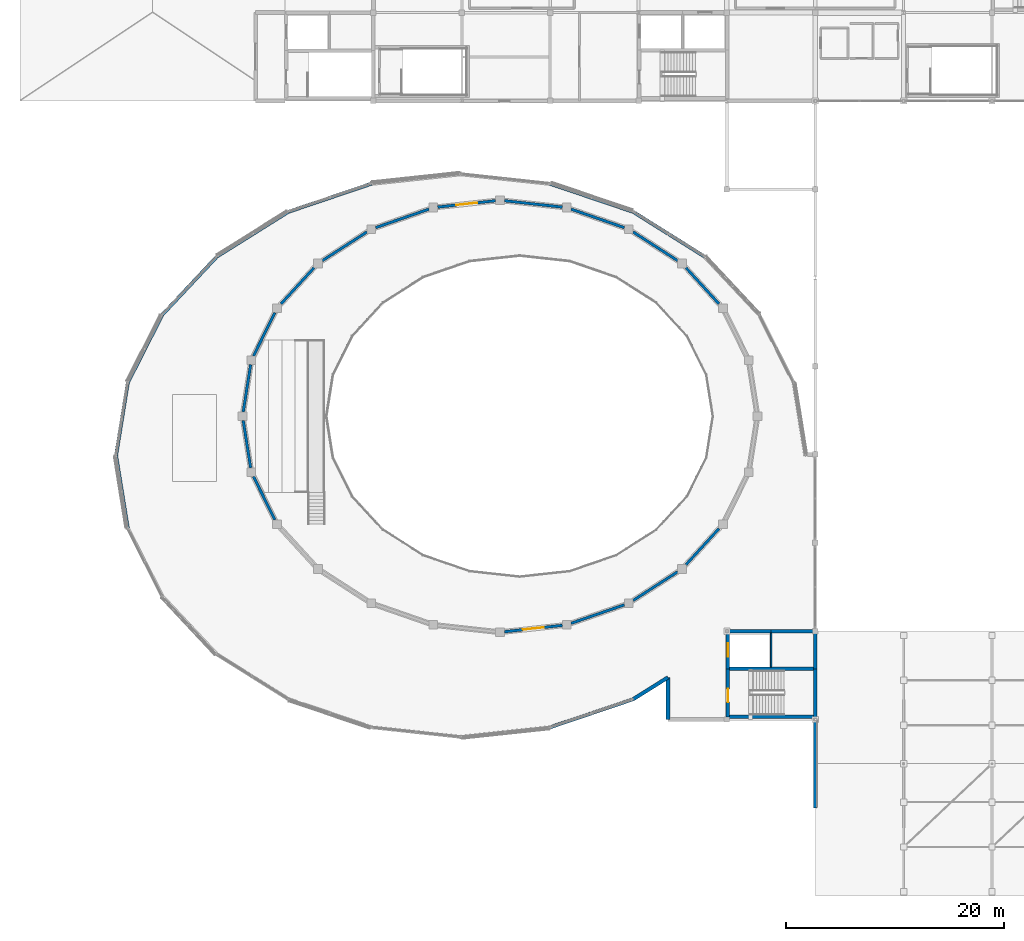
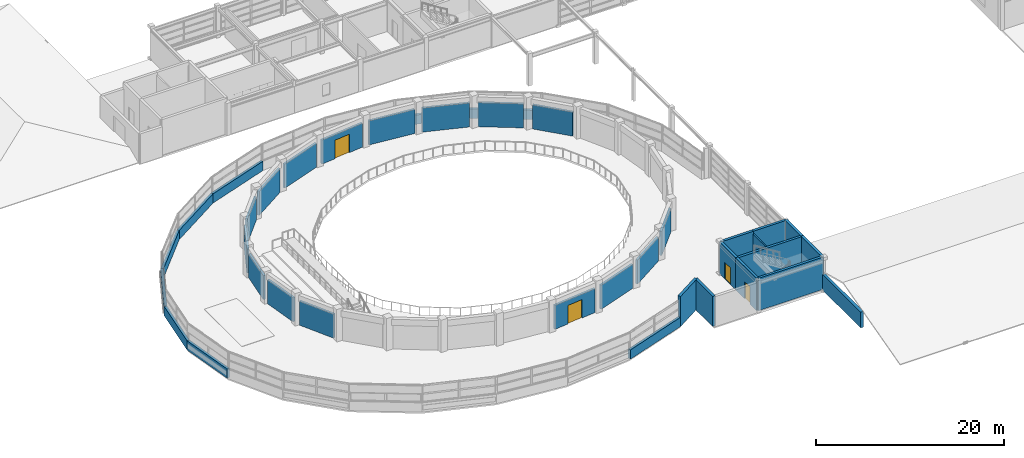
# One storey, part 40 of 54: 37 walls, 4 doors, 4 openings.
"""IFC4 building model written with IfcOpenShell, lengths in metres."""

import ifcopenshell
import ifcopenshell.guid

model = None  # the IFC model being written
_history = None  # IfcOwnerHistory: only IFC2X3 demands one
_inside = {}  # id of a spatial element -> (the spatial element, [elements in it])
_under = {}  # id of a project, library or spatial element -> (it, [spatial elements below it])
_declared = {}  # id of a project -> (the project, [libraries it declares])
_typed = {}  # id of a type object -> (the type object, [elements of that type])
_made_of = {}  # id of a material, layer set ... -> (it, [elements and type objects made of it])


def new_model(schema):
    """Start an empty IFC model of exactly this schema.

    Asked for "IFC4X3", IfcOpenShell would pick the latest addendum, in which some entities
    have other attributes; the version numbers below select the first issue.
    IFC2X3 requires an IfcOwnerHistory on every rooted entity: one is made here for all.
    """
    global model, _history
    if schema == "IFC4X3":
        model = ifcopenshell.file(schema_version=(4, 3, 0, 0))
    else:
        model = ifcopenshell.file(schema=schema)
    _inside.clear()
    _under.clear()
    _declared.clear()
    _typed.clear()
    _made_of.clear()
    _history = None
    if model.schema == "IFC2X3":
        org = make("IfcOrganization", Name="unknown")
        user = make(
            "IfcPersonAndOrganization",
            ThePerson=make("IfcPerson", FamilyName="unknown"),
            TheOrganization=org,
        )
        app = make(
            "IfcApplication",
            ApplicationDeveloper=org,
            Version="unknown",
            ApplicationFullName="unknown",
            ApplicationIdentifier="unknown",
        )
        _history = make(
            "IfcOwnerHistory",
            OwningUser=user,
            OwningApplication=app,
            ChangeAction="ADDED",
            CreationDate=0,
        )
    return model


def make(cls, **values):
    """One entity of the class cls with the attributes given. An attribute that is None is left unset."""
    return model.create_entity(
        cls, **{name: value for name, value in values.items() if value is not None}
    )


def rooted(cls, **values):
    """An entity with a GlobalId (a new one), such as an element, a storey or a relation."""
    return make(cls, GlobalId=ifcopenshell.guid.new(), OwnerHistory=_history, **values)


def si_unit(unit_type, name, prefix=None):
    """IfcSIUnit, for example si_unit("LENGTHUNIT", "METRE", prefix="MILLI")."""
    return make("IfcSIUnit", UnitType=unit_type, Prefix=prefix, Name=name)


def assignment(units):
    """IfcUnitAssignment: the units of a project."""
    return None if units is None else make("IfcUnitAssignment", Units=units)


def point(xyz):
    """IfcCartesianPoint."""
    return None if xyz is None else make("IfcCartesianPoint", Coordinates=xyz)


def direction(xyz):
    """IfcDirection."""
    return None if xyz is None else make("IfcDirection", DirectionRatios=xyz)


def frame(location, z_axis=None, x_axis=None):
    """IfcAxis2Placement3D, a coordinate frame: its origin and axes. An axis left out is left unset."""
    return make(
        "IfcAxis2Placement3D",
        Location=point(location),
        Axis=direction(z_axis),
        RefDirection=direction(x_axis),
    )


def frame_2d(location, x_axis=None):
    """IfcAxis2Placement2D, a coordinate frame in the plane: its origin and x axis."""
    return make(
        "IfcAxis2Placement2D", Location=point(location), RefDirection=direction(x_axis)
    )


def origin():
    """The frame at (0, 0, 0) with its axes left unset."""
    return frame((0.0, 0.0, 0.0))


def place(relative_to, where):
    """IfcLocalPlacement: puts the frame where relative to a parent placement (None: the world)."""
    return make(
        "IfcLocalPlacement", PlacementRelTo=relative_to, RelativePlacement=where
    )


def context(
    kind, dimensions, precision=None, world=None, true_north=None, identifier=None
):
    """IfcGeometricRepresentationContext, for example the 3D "Model" context."""
    return make(
        "IfcGeometricRepresentationContext",
        ContextIdentifier=identifier,
        ContextType=kind,
        CoordinateSpaceDimension=dimensions,
        Precision=precision,
        WorldCoordinateSystem=world,
        TrueNorth=true_north,
    )


def subcontext(parent, identifier, kind, view, scale=None):
    """IfcGeometricRepresentationSubContext, for example "Body" below "Model"."""
    return make(
        "IfcGeometricRepresentationSubContext",
        ContextIdentifier=identifier,
        ContextType=kind,
        ParentContext=parent,
        TargetScale=scale,
        TargetView=view,
    )


def project(units=None, contexts=None):
    """IfcProject with its units and contexts."""
    return rooted(
        "IfcProject",
        Name="project",
        RepresentationContexts=contexts,
        UnitsInContext=assignment(units),
    )


def spatial(cls, under=None, at=None, **own):
    """A site, building, storey or space (cls), placed at a placement, below another one or the project."""
    s = rooted(cls, ObjectPlacement=at, **own)
    if under is not None:
        _under.setdefault(under.id(), (under, []))[1].append(s)
    return s


def profile(cls, at=None, kind="AREA", **sizes):
    """A parametric profile (cls). Its sizes go by their IFC names, for example OverallWidth=200.0."""
    return make(cls, ProfileType=kind, Position=at, **sizes)


def rectangle(**sizes):
    """IfcRectangleProfileDef."""
    return profile("IfcRectangleProfileDef", **sizes)


def extrude(swept, where, along, depth):
    """IfcExtrudedAreaSolid: the profile swept, set in the frame where, extruded along a direction by depth."""
    return make(
        "IfcExtrudedAreaSolid",
        SweptArea=swept,
        Position=where,
        ExtrudedDirection=direction(along),
        Depth=depth,
    )


def shape(context_of_items, identifier, shape_type, items):
    """IfcShapeRepresentation: the items that make up one representation, for example the "Body"."""
    return make(
        "IfcShapeRepresentation",
        ContextOfItems=context_of_items,
        RepresentationIdentifier=identifier,
        RepresentationType=shape_type,
        Items=items,
    )


def material(Name=None, Category=None):
    """IfcMaterial."""
    return make("IfcMaterial", Name=Name, Category=Category)


def layer(
    of_material, thickness, ventilated=None, Name=None, Category=None, Priority=None
):
    """IfcMaterialLayer: one layer of a wall or slab, of a material (None: an air gap)."""
    return make(
        "IfcMaterialLayer",
        Material=of_material,
        LayerThickness=thickness,
        IsVentilated=ventilated,
        Name=Name,
        Category=Category,
        Priority=Priority,
    )


def layer_set(layers, Name=None):
    """IfcMaterialLayerSet."""
    return make("IfcMaterialLayerSet", MaterialLayers=layers, LayerSetName=Name)


def made_of(thing, what):
    """Note that an element or type object is made of a material, layer set ...; save() writes the relation."""
    if what is not None:
        _made_of.setdefault(what.id(), (what, []))[1].append(thing)
    return thing


def type_object(cls, material=None, **own):
    """A type object (cls), such as IfcWallType, which elements share."""
    return made_of(rooted(cls, **own), material)


def element(
    cls,
    number,
    at=None,
    inside=None,
    cuts=None,
    type_object=None,
    material=None,
    context=None,
    identifier="Body",
    shape_type=None,
    held_by="IfcProductDefinitionShape",
    body=None,
    shapes=None,
    **own,
):
    """One element of the class cls, such as IfcWall. Its Tag is "e" and its number.

    at: its placement. inside: the storey or other place that contains it. cuts: it is an
    opening in that element (IfcRelVoidsElement). A single representation is given by context,
    identifier, shape_type and body (its items); several are given by shapes. held_by: the class
    of the entity that holds the representations. save() writes the other relations.
    """
    e = rooted(cls, Tag="e%d" % number, ObjectPlacement=at, **own)
    if body is not None:
        shapes = [shape(context, identifier, shape_type, body)]
    if shapes is not None:
        e.Representation = make(held_by, Representations=shapes)
    if inside is not None:
        _inside.setdefault(inside.id(), (inside, []))[1].append(e)
    if cuts is not None:
        rooted(
            "IfcRelVoidsElement", RelatingBuildingElement=cuts, RelatedOpeningElement=e
        )
    if type_object is not None:
        _typed.setdefault(type_object.id(), (type_object, []))[1].append(e)
    return made_of(e, material)


def fill(opening, filler):
    """IfcRelFillsElement: the door or window that sits in an opening."""
    return rooted(
        "IfcRelFillsElement",
        RelatingOpeningElement=opening,
        RelatedBuildingElement=filler,
    )


def aggregate(whole, parts):
    """IfcRelAggregates: a whole, such as a stair, and the parts it consists of."""
    return rooted("IfcRelAggregates", RelatingObject=whole, RelatedObjects=parts)


def save(model, path):
    """Write the relations noted so far, then the file.

    IfcRelAggregates (storeys below a building ...), IfcRelContainedInSpatialStructure (elements
    in a storey), IfcRelDefinesByType, IfcRelAssociatesMaterial and IfcRelDeclares: one each for
    every whole, place, type object, material and project.
    """
    for whole, parts in _under.values():
        aggregate(whole, parts)
    for where, things in _inside.values():
        rooted(
            "IfcRelContainedInSpatialStructure",
            RelatedElements=things,
            RelatingStructure=where,
        )
    for kind, things in _typed.values():
        rooted("IfcRelDefinesByType", RelatedObjects=things, RelatingType=kind)
    for what, things in _made_of.values():
        rooted("IfcRelAssociatesMaterial", RelatedObjects=things, RelatingMaterial=what)
    for by, libraries in _declared.values():
        rooted("IfcRelDeclares", RelatingContext=by, RelatedDefinitions=libraries)
    model.write(path)


model = new_model("IFC4")

# Units and contexts
model_context = context("Model", 3, precision=1e-05, world=origin(), true_north=direction((0.0, 1.0)))
body_context = subcontext(model_context, "Body", "Model", "MODEL_VIEW")
ifc_project = project(units=[si_unit("LENGTHUNIT", "METRE"), si_unit("AREAUNIT", "SQUARE_METRE"), si_unit("VOLUMEUNIT", "CUBIC_METRE"), si_unit("PLANEANGLEUNIT", "RADIAN"), si_unit("MASSUNIT", "GRAM", prefix="KILO")], contexts=[model_context])

# Site, building, storey
site_placement = place(None, origin())
site = spatial("IfcSite", under=ifc_project, at=site_placement, CompositionType="ELEMENT")
building_placement = place(site_placement, origin())
building = spatial("IfcBuilding", under=site, at=building_placement, Name="Parian Resonance Hall", CompositionType="ELEMENT")
storey_placement = place(building_placement, frame((0.0, 0.0, 15.0)))
storey = spatial("IfcBuildingStorey", under=building, at=storey_placement, Name="L03", CompositionType="ELEMENT", Elevation=15.0)

# Wall, opening, door
ifc_material_1 = material(Name="Concrete C40/50", Category="concrete")
ifc_layer_1 = layer(ifc_material_1, 0.31005859375)
ifc_layer_set_1 = layer_set([ifc_layer_1], Name="Concrete C40/50")
wall_type_1 = type_object("IfcWallType", Name="CW310", PredefinedType="SHEAR", material=ifc_layer_set_1)
wall_1_placement = place(storey_placement, frame((64.889892578125, 16.449951171875, 0.0), z_axis=(0.0, 0.0, 1.0), x_axis=(0.0, 1.0, 0.0)))
wall_1 = element("IfcWall", 1, at=wall_1_placement, inside=storey, type_object=wall_type_1, Name="Core K3 stairwell west shear wall L03", PredefinedType="SHEAR", context=body_context, shape_type="SweptSolid", body=[
    extrude(rectangle(XDim=4.400146484375, YDim=0.31005859375, at=frame_2d((2.2001953125, 0.0))), origin(), (0.0, 0.0, 1.0), 4.199951171875),
])
opening_1_placement = place(wall_1_placement, frame((1.35009765625, 0.0, 0.0)))
opening_1 = element("IfcOpeningElement", 2, at=opening_1_placement, cuts=wall_1, Name="Opening FD-01", PredefinedType="OPENING", context=body_context, shape_type="SweptSolid", body=[
    extrude(rectangle(XDim=1.199951171875, YDim=2.25, at=frame_2d((0.60009765625, 1.125))), frame((0.0, 0.1650390625, 0.0), z_axis=(0.0, -1.0, 0.0), x_axis=(1.0, 0.0, 0.0)), (0.0, 0.0, 1.0), 0.330078125),
])
ifc_material_2 = material(Name="Fire-rated acoustic steel and narra timber door", Category="steel")
door_type_1 = type_object("IfcDoorType", Name="FD-01", OperationType="NOTDEFINED", PredefinedType="DOOR", material=ifc_material_2)
door_1_placement = place(opening_1_placement, origin())
door_1 = element("IfcDoor", 3, at=door_1_placement, inside=storey, type_object=door_type_1, Name="Exit stair ST-03 fire door L03", OperationType="SINGLE_SWING_LEFT", OverallHeight=2.25, OverallWidth=1.199951171875, PredefinedType="DOOR", context=body_context, shape_type="SweptSolid", body=[
    extrude(rectangle(XDim=1.199951171875, YDim=2.25, at=frame_2d((0.60009765625, 1.125))), frame((0.0, 0.02490234375, 0.0), z_axis=(0.0, -1.0, 0.0), x_axis=(1.0, 0.0, 0.0)), (0.0, 0.0, 1.0), 0.050048828125),
])
fill(opening_1, door_1)

wall_2_placement = place(storey_placement, frame((64.889892578125, 20.85009765625, 0.0), z_axis=(0.0, 0.0, 1.0), x_axis=(0.0, 1.0, 0.0)))
wall_2 = element("IfcWall", 4, at=wall_2_placement, inside=storey, type_object=wall_type_1, Name="Core K3 lift shaft west shear wall L03", PredefinedType="SHEAR", context=body_context, shape_type="SweptSolid", body=[
    extrude(rectangle(XDim=3.449951171875, YDim=0.31005859375, at=frame_2d((1.72509765625, 0.0))), origin(), (0.0, 0.0, 1.0), 4.199951171875),
])
opening_2_placement = place(wall_2_placement, frame((1.125, 0.0, 0.0)))
opening_2 = element("IfcOpeningElement", 5, at=opening_2_placement, cuts=wall_2, Name="Opening LD-01", PredefinedType="OPENING", context=body_context, shape_type="SweptSolid", body=[
    extrude(rectangle(XDim=1.199951171875, YDim=2.199951171875, at=frame_2d((0.60009765625, 1.10009765625))), frame((0.0, 0.1650390625, 0.0), z_axis=(0.0, -1.0, 0.0), x_axis=(1.0, 0.0, 0.0)), (0.0, 0.0, 1.0), 0.330078125),
])
ifc_material_3 = material(Name="Stainless steel and bronze elevator cab", Category="steel")
door_type_2 = type_object("IfcDoorType", Name="DOOR-LIFT-1200x2200", OperationType="SLIDING_TO_LEFT", PredefinedType="DOOR", material=ifc_material_3)
door_2_placement = place(opening_2_placement, origin())
door_2 = element("IfcDoor", 6, at=door_2_placement, inside=storey, type_object=door_type_2, Name="Lift LF-04 sliding landing door L03", OperationType="SLIDING_TO_LEFT", OverallHeight=2.199951171875, OverallWidth=1.199951171875, PredefinedType="DOOR", context=body_context, shape_type="SweptSolid", body=[
    extrude(rectangle(XDim=1.199951171875, YDim=2.199951171875, at=frame_2d((0.60009765625, 1.10009765625))), frame((0.0, 0.02490234375, 0.0), z_axis=(0.0, -1.0, 0.0), x_axis=(1.0, 0.0, 0.0)), (0.0, 0.0, 1.0), 0.050048828125),
])
fill(opening_2, door_2)

# Walls
wall_3_placement = place(storey_placement, frame((64.889892578125, 24.300048828125, 0.0), z_axis=(0.0, 0.0, 1.0), x_axis=(1.0, 0.0, 0.0)))
element("IfcWall", 7, at=wall_3_placement, inside=storey, type_object=wall_type_1, Name="Core K3 north-west shaft wall L03", PredefinedType="SHEAR", context=body_context, shape_type="SweptSolid", body=[
    extrude(rectangle(XDim=3.960205078125, YDim=0.31005859375, at=frame_2d((1.97998046875, 0.0))), origin(), (0.0, 0.0, 1.0), 4.199951171875),
])
wall_4_placement = place(storey_placement, frame((68.85009765625, 24.300048828125, 0.0), z_axis=(0.0, 0.0, 1.0), x_axis=(1.0, 0.0, 0.0)))
element("IfcWall", 8, at=wall_4_placement, inside=storey, type_object=wall_type_1, Name="Core K3 north-east shaft wall L03", PredefinedType="SHEAR", context=body_context, shape_type="SweptSolid", body=[
    extrude(rectangle(XDim=4.059814453125, YDim=0.31005859375, at=frame_2d((2.02978515625, 0.0))), origin(), (0.0, 0.0, 1.0), 4.199951171875),
])
wall_5_placement = place(storey_placement, frame((72.909912109375, 24.300048828125, 0.0), z_axis=(0.0, 0.0, 1.0), x_axis=(0.0, -1.0, 0.0)))
element("IfcWall", 9, at=wall_5_placement, inside=storey, type_object=wall_type_1, Name="Core K3 east shaft wall L03", PredefinedType="SHEAR", context=body_context, shape_type="SweptSolid", body=[
    extrude(rectangle(XDim=3.449951171875, YDim=0.31005859375, at=frame_2d((1.72509765625, 0.0))), origin(), (0.0, 0.0, 1.0), 4.199951171875),
])
wall_6_placement = place(storey_placement, frame((72.909912109375, 20.85009765625, 0.0), z_axis=(0.0, 0.0, 1.0), x_axis=(0.0, -1.0, 0.0)))
element("IfcWall", 10, at=wall_6_placement, inside=storey, type_object=wall_type_1, Name="Core K3 stairwell east wall L03", PredefinedType="SHEAR", context=body_context, shape_type="SweptSolid", body=[
    extrude(rectangle(XDim=4.400146484375, YDim=0.31005859375, at=frame_2d((2.2001953125, 0.0))), origin(), (0.0, 0.0, 1.0), 4.199951171875),
])
for number, where, z_axis, x_axis, name in (
    (11, (72.909912109375, 16.449951171875, 0.0), (0.0, 0.0, 1.0), (-1.0, 0.0, 0.0), "Core K3 stairwell south wall L03"),
    (12, (64.889892578125, 20.85009765625, 0.0), (0.0, 0.0, 1.0), (1.0, 0.0, 0.0), "Core K3 stair-lift divider wall L03"),
):
    element("IfcWall", number, at=place(storey_placement, frame(where, z_axis=z_axis, x_axis=x_axis)), inside=storey, type_object=wall_type_1, Name=name, PredefinedType="SHEAR", context=body_context, shape_type="SweptSolid", body=[
        extrude(rectangle(XDim=8.02001953125, YDim=0.31005859375, at=frame_2d((4.010009765625, 0.0))), origin(), (0.0, 0.0, 1.0), 4.199951171875),
    ])
ifc_material_4 = material(Name="Concrete C35/45 with white lime plaster and polychrome mosaic", Category="concrete")
ifc_layer_2 = layer(ifc_material_4, 0.320068359375)
ifc_layer_set_2 = layer_set([ifc_layer_2], Name="Concrete C35/45 with white lime plaster and polychrome mosaic")
wall_type_2 = type_object("IfcWallType", Name="EW-RING-320", PredefinedType="SOLIDWALL", material=ifc_layer_set_2)
wall_7_placement = place(storey_placement, frame((56.199951171875, 62.743408203125, 0.0), z_axis=(0.0, 0.0, 1.0), x_axis=(0.847434839889, -0.530899418103, 0.0)))
element("IfcWall", 13, at=wall_7_placement, inside=storey, type_object=wall_type_2, Name="Elliptical R3 mosaic spandrel wall 04", PredefinedType="SOLIDWALL", context=body_context, shape_type="SweptSolid", body=[
    extrude(rectangle(XDim=7.722900390625, YDim=0.320068359375, at=frame_2d((3.861328125, 0.0))), origin(), (0.0, 0.0, 1.0), 1.199951171875),
])
wall_8_placement = place(storey_placement, frame((48.57861328125, 65.32080078125, 0.0), z_axis=(0.0, 0.0, 1.0), x_axis=(0.947296607548, -0.320357827013, 0.0)))
element("IfcWall", 14, at=wall_8_placement, inside=storey, type_object=wall_type_2, Name="Elliptical R3 mosaic spandrel wall 05", PredefinedType="SOLIDWALL", context=body_context, shape_type="SweptSolid", body=[
    extrude(rectangle(XDim=8.04541015625, YDim=0.320068359375, at=frame_2d((4.022705078125, 0.0))), origin(), (0.0, 0.0, 1.0), 1.199951171875),
])
wall_9_placement = place(storey_placement, frame((24.60009765625, 62.743408203125, 0.0), z_axis=(0.0, 0.0, 1.0), x_axis=(0.947293493077, 0.320367036341, 0.0)))
element("IfcWall", 15, at=wall_9_placement, inside=storey, type_object=wall_type_2, Name="Elliptical R3 mosaic spandrel wall 08", PredefinedType="SOLIDWALL", context=body_context, shape_type="SweptSolid", body=[
    extrude(rectangle(XDim=8.045166015625, YDim=0.320068359375, at=frame_2d((4.0224609375, 0.0))), origin(), (0.0, 0.0, 1.0), 1.199951171875),
])
wall_10_placement = place(storey_placement, frame((18.055419921875, 58.643310546875, 0.0), z_axis=(0.0, 0.0, 1.0), x_axis=(0.847434839889, 0.530899418103, 0.0)))
element("IfcWall", 16, at=wall_10_placement, inside=storey, type_object=wall_type_2, Name="Elliptical R3 mosaic spandrel wall 09", PredefinedType="SOLIDWALL", context=body_context, shape_type="SweptSolid", body=[
    extrude(rectangle(XDim=7.722900390625, YDim=0.320068359375, at=frame_2d((3.861328125, 0.0))), origin(), (0.0, 0.0, 1.0), 1.199951171875),
])
wall_11_placement = place(storey_placement, frame((13.03369140625, 53.300048828125, 0.0), z_axis=(0.0, 0.0, 1.0), x_axis=(0.684842129235, 0.728691469708, 0.0)))
element("IfcWall", 17, at=wall_11_placement, inside=storey, type_object=wall_type_2, Name="Elliptical R3 mosaic spandrel wall 10", PredefinedType="SOLIDWALL", context=body_context, shape_type="SweptSolid", body=[
    extrude(rectangle(XDim=7.332763671875, YDim=0.320068359375, at=frame_2d((3.66650390625, 0.0))), origin(), (0.0, 0.0, 1.0), 1.199951171875),
])
wall_12_placement = place(storey_placement, frame((9.876708984375, 47.077392578125, 0.0), z_axis=(0.0, 0.0, 1.0), x_axis=(0.452440262938, 0.891794712068, 0.0)))
element("IfcWall", 18, at=wall_12_placement, inside=storey, type_object=wall_type_2, Name="Elliptical R3 mosaic spandrel wall 11", PredefinedType="SOLIDWALL", context=body_context, shape_type="SweptSolid", body=[
    extrude(rectangle(XDim=6.977783203125, YDim=0.320068359375, at=frame_2d((3.48876953125, 0.0))), origin(), (0.0, 0.0, 1.0), 1.199951171875),
])
for number, where, z_axis, x_axis, name in (
    (19, (8.800048828125, 40.39990234375, 0.0), (0.0, 0.0, 1.0), (0.159181370366, 0.987249356206, 0.0), "Elliptical R3 mosaic spandrel wall 12"),
    (20, (9.876708984375, 33.722412109375, 0.0), (0.0, 0.0, 1.0), (-0.159181370366, 0.987249356206, 0.0), "Elliptical R3 mosaic spandrel wall 13"),
):
    element("IfcWall", number, at=place(storey_placement, frame(where, z_axis=z_axis, x_axis=x_axis)), inside=storey, type_object=wall_type_2, Name=name, PredefinedType="SOLIDWALL", context=body_context, shape_type="SweptSolid", body=[
        extrude(rectangle(XDim=6.763671875, YDim=0.320068359375, at=frame_2d((3.3818359375, 0.0))), origin(), (0.0, 0.0, 1.0), 1.199951171875),
    ])
wall_13_placement = place(storey_placement, frame((56.199951171875, 18.056396484375, 0.0), z_axis=(0.0, 0.0, 1.0), x_axis=(-0.947296607548, -0.320357827013, 0.0)))
element("IfcWall", 21, at=wall_13_placement, inside=storey, type_object=wall_type_2, Name="Elliptical R3 mosaic spandrel wall 20", PredefinedType="SOLIDWALL", context=body_context, shape_type="SweptSolid", body=[
    extrude(rectangle(XDim=8.04541015625, YDim=0.320068359375, at=frame_2d((4.022705078125, 0.0))), origin(), (0.0, 0.0, 1.0), 1.199951171875),
])
ifc_material_5 = material(Name="Concrete C35/45 with Carcar coral-limestone ashlar", Category="masonry")
ifc_layer_3 = layer(ifc_material_5, 0.340087890625)
ifc_layer_set_3 = layer_set([ifc_layer_3], Name="Concrete C35/45 with Carcar coral-limestone ashlar")
wall_type_3 = type_object("IfcWallType", Name="EW-STONE-340", PredefinedType="SOLIDWALL", material=ifc_layer_set_3)
wall_14_placement = place(storey_placement, frame((72.89990234375, 16.199951171875, 0.0), z_axis=(0.0, 0.0, 1.0), x_axis=(0.0, -1.0, 0.0)))
element("IfcWall", 22, at=wall_14_placement, inside=storey, type_object=wall_type_3, Name="Orchestra Rehearsal Hall west gable tympanum", PredefinedType="SOLIDWALL", context=body_context, shape_type="SweptSolid", body=[
    extrude(rectangle(XDim=8.099853515625, YDim=0.340087890625, at=frame_2d((4.0498046875, 0.0))), origin(), (0.0, 0.0, 1.0), 2.050048828125),
])
wall_15_placement = place(storey_placement, frame((56.199951171875, 18.055908203125, 0.0), z_axis=(0.0, 0.0, 1.0), x_axis=(0.84738391163, 0.53098070239, 0.0)))
element("IfcWall", 23, at=wall_15_placement, inside=storey, type_object=wall_type_3, Name="Perimeter closure wall L03", PredefinedType="SOLIDWALL", context=body_context, shape_type="SweptSolid", body=[
    extrude(rectangle(XDim=3.7763671875, YDim=0.340087890625, at=frame_2d((1.88818359375, 0.0))), origin(), (0.0, 0.0, 1.0), 3.89990234375),
])
wall_16_placement = place(storey_placement, frame((59.39990234375, 20.06103515625, 0.0), z_axis=(0.0, 0.0, 1.0), x_axis=(0.0, -1.0, 0.0)))
element("IfcWall", 24, at=wall_16_placement, inside=storey, type_object=wall_type_3, Name="Perimeter closure wall L03", PredefinedType="SOLIDWALL", context=body_context, shape_type="SweptSolid", body=[
    extrude(rectangle(XDim=3.861083984375, YDim=0.340087890625, at=frame_2d((1.9306640625, 0.0))), origin(), (0.0, 0.0, 1.0), 3.89990234375),
])
ifc_material_6 = material(Name="Concrete C35/45 fire barrier", Category="concrete")
ifc_layer_4 = layer(ifc_material_6, 0.25)
ifc_layer_set_4 = layer_set([ifc_layer_4], Name="Concrete C35/45 fire barrier")
wall_type_4 = type_object("IfcWallType", Name="HW250", PredefinedType="SOLIDWALL", material=ifc_layer_set_4)
wall_17_placement = place(storey_placement, frame((61.053466796875, 57.6005859375, 0.0), z_axis=(0.0, 0.0, 1.0), x_axis=(0.674940761195, -0.73787191902, 0.0)))
element("IfcWall", 25, at=wall_17_placement, inside=storey, type_object=wall_type_4, Name="Main Concert Hall acoustic drum wall L03-03", PredefinedType="SOLIDWALL", context=body_context, shape_type="SweptSolid", body=[
    extrude(rectangle(XDim=4.47314453125, YDim=0.25, at=frame_2d((2.236572265625, 0.0))), origin(), (0.0, 0.0, 1.0), 3.1240234375),
])
wall_18_placement = place(storey_placement, frame((56.199951171875, 60.889892578125, 0.0), z_axis=(0.0, 0.0, 1.0), x_axis=(0.840820955445, -0.541313329675, 0.0)))
element("IfcWall", 26, at=wall_18_placement, inside=storey, type_object=wall_type_4, Name="Main Concert Hall acoustic drum wall L03-04", PredefinedType="SOLIDWALL", context=body_context, shape_type="SweptSolid", body=[
    extrude(rectangle(XDim=4.861572265625, YDim=0.25, at=frame_2d((2.4306640625, 0.0))), origin(), (0.0, 0.0, 1.0), 3.1240234375),
])
wall_19_placement = place(storey_placement, frame((50.508056640625, 62.986328125, 0.0), z_axis=(0.0, 0.0, 1.0), x_axis=(0.94459024808, -0.328251828985, 0.0)))
element("IfcWall", 27, at=wall_19_placement, inside=storey, type_object=wall_type_4, Name="Main Concert Hall acoustic drum wall L03-05", PredefinedType="SOLIDWALL", context=body_context, shape_type="SweptSolid", body=[
    extrude(rectangle(XDim=5.1787109375, YDim=0.25, at=frame_2d((2.58935546875, 0.0))), origin(), (0.0, 0.0, 1.0), 3.1240234375),
])
wall_20_placement = place(storey_placement, frame((44.39990234375, 63.755859375, 0.0), z_axis=(0.0, 0.0, 1.0), x_axis=(0.99395267112, -0.109809323707, 0.0)))
element("IfcWall", 28, at=wall_20_placement, inside=storey, type_object=wall_type_4, Name="Main Concert Hall acoustic drum wall L03-06", PredefinedType="SOLIDWALL", context=body_context, shape_type="SweptSolid", body=[
    extrude(rectangle(XDim=5.34033203125, YDim=0.25, at=frame_2d((2.670166015625, 0.0))), origin(), (0.0, 0.0, 1.0), 3.1240234375),
])

# Wall, opening, door
wall_21_placement = place(storey_placement, frame((38.2919921875, 63.16943359375, 0.0), z_axis=(0.0, 0.0, 1.0), x_axis=(0.99395267112, 0.109809323707, 0.0)))
wall_21 = element("IfcWall", 29, at=wall_21_placement, inside=storey, type_object=wall_type_4, Name="Main Concert Hall acoustic drum wall L03-07", PredefinedType="SOLIDWALL", context=body_context, shape_type="SweptSolid", body=[
    extrude(rectangle(XDim=5.34033203125, YDim=0.25, at=frame_2d((2.670166015625, 0.0))), origin(), (0.0, 0.0, 1.0), 3.1240234375),
])
opening_3_placement = place(wall_21_placement, frame((1.72021484375, 0.0, 0.0)))
opening_3 = element("IfcOpeningElement", 30, at=opening_3_placement, cuts=wall_21, Name="Opening ID-03", PredefinedType="OPENING", context=body_context, shape_type="SweptSolid", body=[
    extrude(rectangle(XDim=1.89990234375, YDim=2.39990234375, at=frame_2d((0.949951171875, 1.199951171875))), frame((0.0, 0.135009765625, 0.0), z_axis=(0.0, -1.0, 0.0), x_axis=(1.0, 0.0, 0.0)), (0.0, 0.0, 1.0), 0.27001953125),
])
ifc_material_7 = material(Name="Fire-rated acoustic steel and narra timber door", Category="steel")
door_type_3 = type_object("IfcDoorType", Name="ID-HALL-1900x2400", OperationType="NOTDEFINED", PredefinedType="DOOR", material=ifc_material_7)
door_3_placement = place(opening_3_placement, origin())
door_3 = element("IfcDoor", 31, at=door_3_placement, inside=storey, type_object=door_type_3, Name="Main Concert Hall acoustic sound-lock door L03-07", OperationType="DOUBLE_DOOR_SINGLE_SWING", OverallHeight=2.39990234375, OverallWidth=1.89990234375, PredefinedType="DOOR", context=body_context, shape_type="SweptSolid", body=[
    extrude(rectangle(XDim=1.89990234375, YDim=2.39990234375, at=frame_2d((0.949951171875, 1.199951171875))), frame((0.0, 0.02490234375, 0.0), z_axis=(0.0, -1.0, 0.0), x_axis=(1.0, 0.0, 0.0)), (0.0, 0.0, 1.0), 0.050048828125),
])
fill(opening_3, door_3)

# Walls
wall_22_placement = place(storey_placement, frame((32.60009765625, 61.286376953125, 0.0), z_axis=(0.0, 0.0, 1.0), x_axis=(0.94459024808, 0.328251828985, 0.0)))
element("IfcWall", 32, at=wall_22_placement, inside=storey, type_object=wall_type_4, Name="Main Concert Hall acoustic drum wall L03-08", PredefinedType="SOLIDWALL", context=body_context, shape_type="SweptSolid", body=[
    extrude(rectangle(XDim=5.1787109375, YDim=0.25, at=frame_2d((2.58935546875, 0.0))), origin(), (0.0, 0.0, 1.0), 3.1240234375),
])
wall_23_placement = place(storey_placement, frame((27.71240234375, 58.25830078125, 0.0), z_axis=(0.0, 0.0, 1.0), x_axis=(0.840820955445, 0.541313329675, 0.0)))
element("IfcWall", 33, at=wall_23_placement, inside=storey, type_object=wall_type_4, Name="Main Concert Hall acoustic drum wall L03-09", PredefinedType="SOLIDWALL", context=body_context, shape_type="SweptSolid", body=[
    extrude(rectangle(XDim=4.861572265625, YDim=0.25, at=frame_2d((2.4306640625, 0.0))), origin(), (0.0, 0.0, 1.0), 3.1240234375),
])
wall_24_placement = place(storey_placement, frame((23.927490234375, 54.300048828125, 0.0), z_axis=(0.0, 0.0, 1.0), x_axis=(0.674940761195, 0.73787191902, 0.0)))
element("IfcWall", 34, at=wall_24_placement, inside=storey, type_object=wall_type_4, Name="Main Concert Hall acoustic drum wall L03-10", PredefinedType="SOLIDWALL", context=body_context, shape_type="SweptSolid", body=[
    extrude(rectangle(XDim=4.47314453125, YDim=0.25, at=frame_2d((2.236572265625, 0.0))), origin(), (0.0, 0.0, 1.0), 3.1240234375),
])
wall_25_placement = place(storey_placement, frame((21.401611328125, 49.524658203125, 0.0), z_axis=(0.0, 0.0, 1.0), x_axis=(0.442692313403, 0.896673583671, 0.0)))
element("IfcWall", 35, at=wall_25_placement, inside=storey, type_object=wall_type_4, Name="Main Concert Hall acoustic drum wall L03-11", PredefinedType="SOLIDWALL", context=body_context, shape_type="SweptSolid", body=[
    extrude(rectangle(XDim=4.433349609375, YDim=0.25, at=frame_2d((2.216796875, 0.0))), origin(), (0.0, 0.0, 1.0), 3.1240234375),
])
for number, where, z_axis, x_axis, name in (
    (36, (20.462890625, 44.39990234375, 0.0), (0.0, 0.0, 1.0), (0.154985912507, 0.987916680153, 0.0), "Main Concert Hall acoustic drum wall L03-12"),
    (37, (21.141357421875, 39.275390625, 0.0), (0.0, 0.0, 1.0), (-0.154985912507, 0.987916680153, 0.0), "Main Concert Hall acoustic drum wall L03-13"),
):
    element("IfcWall", number, at=place(storey_placement, frame(where, z_axis=z_axis, x_axis=x_axis)), inside=storey, type_object=wall_type_4, Name=name, PredefinedType="SOLIDWALL", context=body_context, shape_type="SweptSolid", body=[
        extrude(rectangle(XDim=4.377685546875, YDim=0.25, at=frame_2d((2.18896484375, 0.0))), origin(), (0.0, 0.0, 1.0), 3.1240234375),
    ])
wall_26_placement = place(storey_placement, frame((23.3642578125, 34.5, 0.0), z_axis=(0.0, 0.0, 1.0), x_axis=(-0.442692313403, 0.896673583671, 0.0)))
element("IfcWall", 38, at=wall_26_placement, inside=storey, type_object=wall_type_4, Name="Main Concert Hall acoustic drum wall L03-14", PredefinedType="SOLIDWALL", context=body_context, shape_type="SweptSolid", body=[
    extrude(rectangle(XDim=4.433349609375, YDim=0.25, at=frame_2d((2.216796875, 0.0))), origin(), (0.0, 0.0, 1.0), 3.1240234375),
])

# Wall, opening, door
wall_27_placement = place(storey_placement, frame((49.7080078125, 24.83056640625, 0.0), z_axis=(0.0, 0.0, 1.0), x_axis=(-0.99395267112, -0.109809323707, 0.0)))
wall_27 = element("IfcWall", 39, at=wall_27_placement, inside=storey, type_object=wall_type_4, Name="Main Concert Hall acoustic drum wall L03-19", PredefinedType="SOLIDWALL", context=body_context, shape_type="SweptSolid", body=[
    extrude(rectangle(XDim=5.34033203125, YDim=0.25, at=frame_2d((2.670166015625, 0.0))), origin(), (0.0, 0.0, 1.0), 3.1240234375),
])
opening_4_placement = place(wall_27_placement, frame((1.72021484375, 0.0, 0.0)))
opening_4 = element("IfcOpeningElement", 40, at=opening_4_placement, cuts=wall_27, Name="Opening ID-03", PredefinedType="OPENING", context=body_context, shape_type="SweptSolid", body=[
    extrude(rectangle(XDim=1.89990234375, YDim=2.39990234375, at=frame_2d((0.949951171875, 1.199951171875))), frame((0.0, 0.135009765625, 0.0), z_axis=(0.0, -1.0, 0.0), x_axis=(1.0, 0.0, 0.0)), (0.0, 0.0, 1.0), 0.27001953125),
])
door_4_placement = place(opening_4_placement, origin())
door_4 = element("IfcDoor", 41, at=door_4_placement, inside=storey, type_object=door_type_3, Name="Main Concert Hall acoustic sound-lock door L03-19", OperationType="DOUBLE_DOOR_SINGLE_SWING", OverallHeight=2.39990234375, OverallWidth=1.89990234375, PredefinedType="DOOR", context=body_context, shape_type="SweptSolid", body=[
    extrude(rectangle(XDim=1.89990234375, YDim=2.39990234375, at=frame_2d((0.949951171875, 1.199951171875))), frame((0.0, 0.02490234375, 0.0), z_axis=(0.0, -1.0, 0.0), x_axis=(1.0, 0.0, 0.0)), (0.0, 0.0, 1.0), 0.050048828125),
])
fill(opening_4, door_4)

# Walls
wall_28_placement = place(storey_placement, frame((55.39990234375, 26.713623046875, 0.0), z_axis=(0.0, 0.0, 1.0), x_axis=(-0.94459024808, -0.328251828985, 0.0)))
element("IfcWall", 42, at=wall_28_placement, inside=storey, type_object=wall_type_4, Name="Main Concert Hall acoustic drum wall L03-20", PredefinedType="SOLIDWALL", context=body_context, shape_type="SweptSolid", body=[
    extrude(rectangle(XDim=5.1787109375, YDim=0.25, at=frame_2d((2.58935546875, 0.0))), origin(), (0.0, 0.0, 1.0), 3.1240234375),
])
wall_29_placement = place(storey_placement, frame((60.28759765625, 29.74169921875, 0.0), z_axis=(0.0, 0.0, 1.0), x_axis=(-0.840820955445, -0.541313329675, 0.0)))
element("IfcWall", 43, at=wall_29_placement, inside=storey, type_object=wall_type_4, Name="Main Concert Hall acoustic drum wall L03-21", PredefinedType="SOLIDWALL", context=body_context, shape_type="SweptSolid", body=[
    extrude(rectangle(XDim=4.861572265625, YDim=0.25, at=frame_2d((2.4306640625, 0.0))), origin(), (0.0, 0.0, 1.0), 3.1240234375),
])
wall_30_placement = place(storey_placement, frame((64.072509765625, 33.699951171875, 0.0), z_axis=(0.0, 0.0, 1.0), x_axis=(-0.674940761195, -0.73787191902, 0.0)))
element("IfcWall", 44, at=wall_30_placement, inside=storey, type_object=wall_type_4, Name="Main Concert Hall acoustic drum wall L03-22", PredefinedType="SOLIDWALL", context=body_context, shape_type="SweptSolid", body=[
    extrude(rectangle(XDim=4.47314453125, YDim=0.25, at=frame_2d((2.236572265625, 0.0))), origin(), (0.0, 0.0, 1.0), 3.1240234375),
])
ifc_material_8 = material(Name="Concrete C35/45 acoustic plumbing chase wall", Category="concrete")
ifc_layer_5 = layer(ifc_material_8, 0.14990234375)
ifc_layer_set_5 = layer_set([ifc_layer_5], Name="Concrete C35/45 acoustic plumbing chase wall")
wall_type_5 = type_object("IfcWallType", Name="PW150", PredefinedType="PLUMBINGWALL", material=ifc_layer_set_5)
wall_31_placement = place(storey_placement, frame((68.85009765625, 21.010009765625, 0.0), z_axis=(0.0, 0.0, 1.0), x_axis=(0.0, 1.0, 0.0)))
element("IfcWall", 45, at=wall_31_placement, inside=storey, type_object=wall_type_5, Name="Core K3 shaft plumbing/riser divider L03", PredefinedType="PLUMBINGWALL", context=body_context, shape_type="SweptSolid", body=[
    extrude(rectangle(XDim=3.1298828125, YDim=0.14990234375, at=frame_2d((1.56494140625, 0.0))), origin(), (0.0, 0.0, 1.0), 3.85009765625),
])

save(model, "model.ifc")
